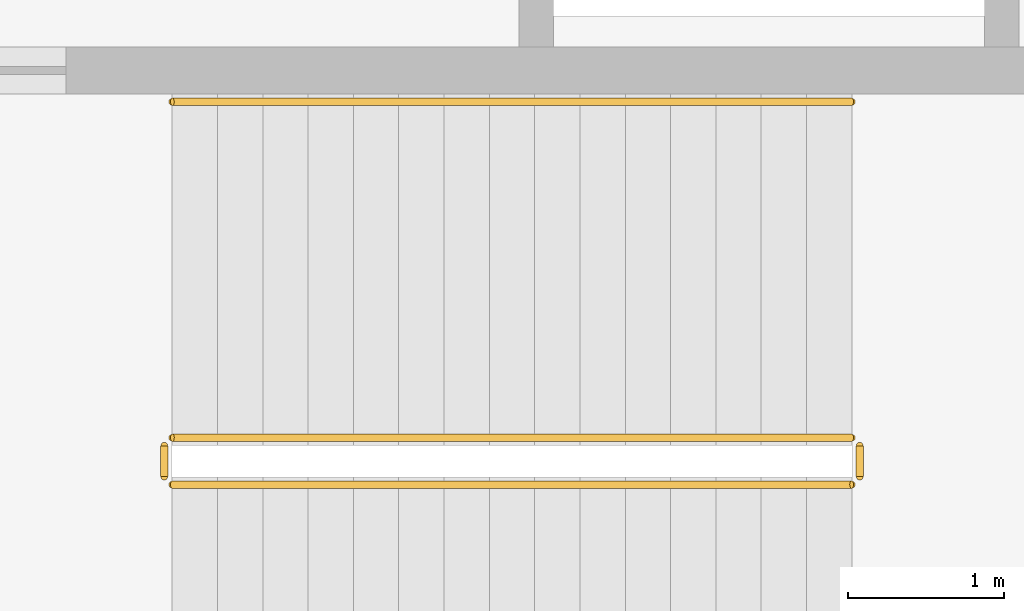
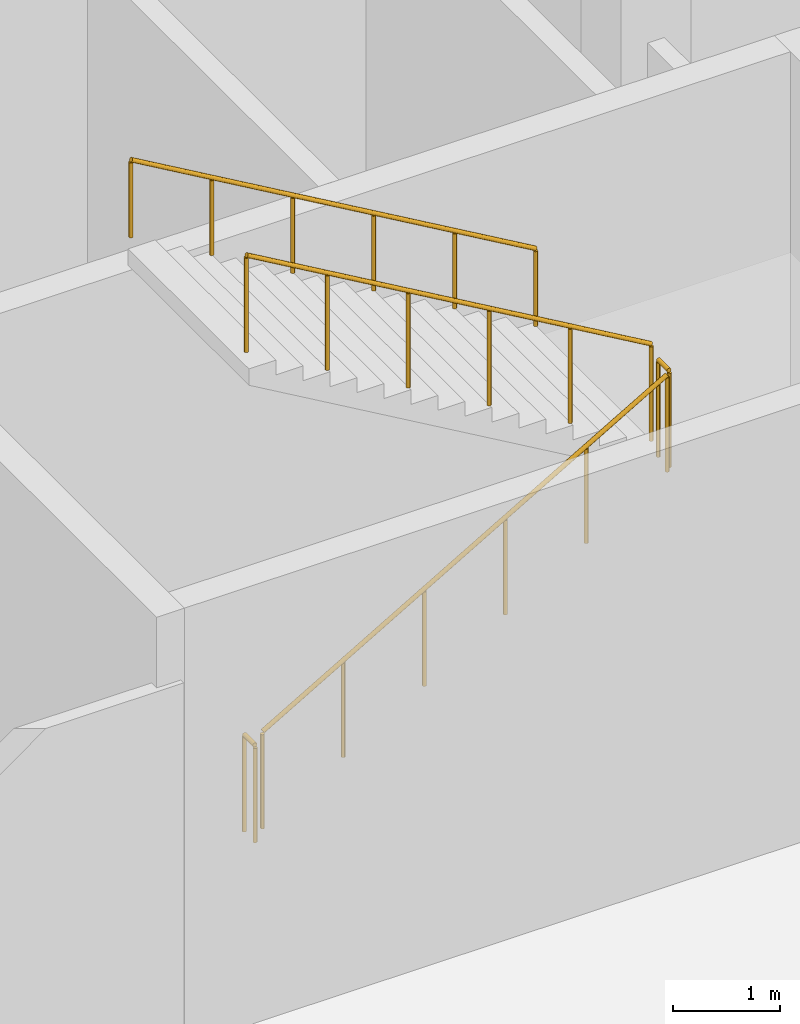
# One storey, part 119 of 127: 5 railings.
"""IFC4 building model written with IfcOpenShell, lengths in metres."""

import ifcopenshell
import ifcopenshell.guid

model = None  # the IFC model being written
_history = None  # IfcOwnerHistory: only IFC2X3 demands one
_inside = {}  # id of a spatial element -> (the spatial element, [elements in it])
_under = {}  # id of a project, library or spatial element -> (it, [spatial elements below it])
_declared = {}  # id of a project -> (the project, [libraries it declares])
_typed = {}  # id of a type object -> (the type object, [elements of that type])
_made_of = {}  # id of a material, layer set ... -> (it, [elements and type objects made of it])


def new_model(schema):
    """Start an empty IFC model of exactly this schema.

    Asked for "IFC4X3", IfcOpenShell would pick the latest addendum, in which some entities
    have other attributes; the version numbers below select the first issue.
    IFC2X3 requires an IfcOwnerHistory on every rooted entity: one is made here for all.
    """
    global model, _history
    if schema == "IFC4X3":
        model = ifcopenshell.file(schema_version=(4, 3, 0, 0))
    else:
        model = ifcopenshell.file(schema=schema)
    _inside.clear()
    _under.clear()
    _declared.clear()
    _typed.clear()
    _made_of.clear()
    _history = None
    if model.schema == "IFC2X3":
        org = make("IfcOrganization", Name="unknown")
        user = make(
            "IfcPersonAndOrganization",
            ThePerson=make("IfcPerson", FamilyName="unknown"),
            TheOrganization=org,
        )
        app = make(
            "IfcApplication",
            ApplicationDeveloper=org,
            Version="unknown",
            ApplicationFullName="unknown",
            ApplicationIdentifier="unknown",
        )
        _history = make(
            "IfcOwnerHistory",
            OwningUser=user,
            OwningApplication=app,
            ChangeAction="ADDED",
            CreationDate=0,
        )
    return model


def make(cls, **values):
    """One entity of the class cls with the attributes given. An attribute that is None is left unset."""
    return model.create_entity(
        cls, **{name: value for name, value in values.items() if value is not None}
    )


def rooted(cls, **values):
    """An entity with a GlobalId (a new one), such as an element, a storey or a relation."""
    return make(cls, GlobalId=ifcopenshell.guid.new(), OwnerHistory=_history, **values)


def si_unit(unit_type, name, prefix=None):
    """IfcSIUnit, for example si_unit("LENGTHUNIT", "METRE", prefix="MILLI")."""
    return make("IfcSIUnit", UnitType=unit_type, Prefix=prefix, Name=name)


def assignment(units):
    """IfcUnitAssignment: the units of a project."""
    return None if units is None else make("IfcUnitAssignment", Units=units)


def point(xyz):
    """IfcCartesianPoint."""
    return None if xyz is None else make("IfcCartesianPoint", Coordinates=xyz)


def direction(xyz):
    """IfcDirection."""
    return None if xyz is None else make("IfcDirection", DirectionRatios=xyz)


def frame(location, z_axis=None, x_axis=None):
    """IfcAxis2Placement3D, a coordinate frame: its origin and axes. An axis left out is left unset."""
    return make(
        "IfcAxis2Placement3D",
        Location=point(location),
        Axis=direction(z_axis),
        RefDirection=direction(x_axis),
    )


def frame_2d(location, x_axis=None):
    """IfcAxis2Placement2D, a coordinate frame in the plane: its origin and x axis."""
    return make(
        "IfcAxis2Placement2D", Location=point(location), RefDirection=direction(x_axis)
    )


def origin():
    """The frame at (0, 0, 0) with its axes left unset."""
    return frame((0.0, 0.0, 0.0))


def origin_2d():
    """The frame at (0, 0) in the plane with its x axis left unset."""
    return frame_2d((0.0, 0.0))


def place(relative_to, where):
    """IfcLocalPlacement: puts the frame where relative to a parent placement (None: the world)."""
    return make(
        "IfcLocalPlacement", PlacementRelTo=relative_to, RelativePlacement=where
    )


def context(
    kind, dimensions, precision=None, world=None, true_north=None, identifier=None
):
    """IfcGeometricRepresentationContext, for example the 3D "Model" context."""
    return make(
        "IfcGeometricRepresentationContext",
        ContextIdentifier=identifier,
        ContextType=kind,
        CoordinateSpaceDimension=dimensions,
        Precision=precision,
        WorldCoordinateSystem=world,
        TrueNorth=true_north,
    )


def subcontext(parent, identifier, kind, view, scale=None):
    """IfcGeometricRepresentationSubContext, for example "Body" below "Model"."""
    return make(
        "IfcGeometricRepresentationSubContext",
        ContextIdentifier=identifier,
        ContextType=kind,
        ParentContext=parent,
        TargetScale=scale,
        TargetView=view,
    )


def project(units=None, contexts=None):
    """IfcProject with its units and contexts."""
    return rooted(
        "IfcProject",
        Name="project",
        RepresentationContexts=contexts,
        UnitsInContext=assignment(units),
    )


def spatial(cls, under=None, at=None, **own):
    """A site, building, storey or space (cls), placed at a placement, below another one or the project."""
    s = rooted(cls, ObjectPlacement=at, **own)
    if under is not None:
        _under.setdefault(under.id(), (under, []))[1].append(s)
    return s


def profile(cls, at=None, kind="AREA", **sizes):
    """A parametric profile (cls). Its sizes go by their IFC names, for example OverallWidth=200.0."""
    return make(cls, ProfileType=kind, Position=at, **sizes)


def circle(**sizes):
    """IfcCircleProfileDef."""
    return profile("IfcCircleProfileDef", **sizes)


def extrude(swept, where, along, depth):
    """IfcExtrudedAreaSolid: the profile swept, set in the frame where, extruded along a direction by depth."""
    return make(
        "IfcExtrudedAreaSolid",
        SweptArea=swept,
        Position=where,
        ExtrudedDirection=direction(along),
        Depth=depth,
    )


def shape(context_of_items, identifier, shape_type, items):
    """IfcShapeRepresentation: the items that make up one representation, for example the "Body"."""
    return make(
        "IfcShapeRepresentation",
        ContextOfItems=context_of_items,
        RepresentationIdentifier=identifier,
        RepresentationType=shape_type,
        Items=items,
    )


def material(Name=None, Category=None):
    """IfcMaterial."""
    return make("IfcMaterial", Name=Name, Category=Category)


def made_of(thing, what):
    """Note that an element or type object is made of a material, layer set ...; save() writes the relation."""
    if what is not None:
        _made_of.setdefault(what.id(), (what, []))[1].append(thing)
    return thing


def type_object(cls, material=None, **own):
    """A type object (cls), such as IfcWallType, which elements share."""
    return made_of(rooted(cls, **own), material)


def element(
    cls,
    number,
    at=None,
    inside=None,
    cuts=None,
    type_object=None,
    material=None,
    context=None,
    identifier="Body",
    shape_type=None,
    held_by="IfcProductDefinitionShape",
    body=None,
    shapes=None,
    **own,
):
    """One element of the class cls, such as IfcWall. Its Tag is "e" and its number.

    at: its placement. inside: the storey or other place that contains it. cuts: it is an
    opening in that element (IfcRelVoidsElement). A single representation is given by context,
    identifier, shape_type and body (its items); several are given by shapes. held_by: the class
    of the entity that holds the representations. save() writes the other relations.
    """
    e = rooted(cls, Tag="e%d" % number, ObjectPlacement=at, **own)
    if body is not None:
        shapes = [shape(context, identifier, shape_type, body)]
    if shapes is not None:
        e.Representation = make(held_by, Representations=shapes)
    if inside is not None:
        _inside.setdefault(inside.id(), (inside, []))[1].append(e)
    if cuts is not None:
        rooted(
            "IfcRelVoidsElement", RelatingBuildingElement=cuts, RelatedOpeningElement=e
        )
    if type_object is not None:
        _typed.setdefault(type_object.id(), (type_object, []))[1].append(e)
    return made_of(e, material)


def aggregate(whole, parts):
    """IfcRelAggregates: a whole, such as a stair, and the parts it consists of."""
    return rooted("IfcRelAggregates", RelatingObject=whole, RelatedObjects=parts)


def save(model, path):
    """Write the relations noted so far, then the file.

    IfcRelAggregates (storeys below a building ...), IfcRelContainedInSpatialStructure (elements
    in a storey), IfcRelDefinesByType, IfcRelAssociatesMaterial and IfcRelDeclares: one each for
    every whole, place, type object, material and project.
    """
    for whole, parts in _under.values():
        aggregate(whole, parts)
    for where, things in _inside.values():
        rooted(
            "IfcRelContainedInSpatialStructure",
            RelatedElements=things,
            RelatingStructure=where,
        )
    for kind, things in _typed.values():
        rooted("IfcRelDefinesByType", RelatedObjects=things, RelatingType=kind)
    for what, things in _made_of.values():
        rooted("IfcRelAssociatesMaterial", RelatedObjects=things, RelatingMaterial=what)
    for by, libraries in _declared.values():
        rooted("IfcRelDeclares", RelatingContext=by, RelatedDefinitions=libraries)
    model.write(path)


model = new_model("IFC4")

# Units and contexts
model_context = context("Model", 3, precision=1e-05, world=origin(), true_north=direction((0.0, 1.0)))
body_context = subcontext(model_context, "Body", "Model", "MODEL_VIEW")
ifc_project = project(units=[si_unit("LENGTHUNIT", "METRE"), si_unit("AREAUNIT", "SQUARE_METRE"), si_unit("VOLUMEUNIT", "CUBIC_METRE"), si_unit("PLANEANGLEUNIT", "RADIAN"), si_unit("MASSUNIT", "GRAM", prefix="KILO")], contexts=[model_context])

# Site, building, storey
site_placement = place(None, origin())
site = spatial("IfcSite", under=ifc_project, at=site_placement, CompositionType="ELEMENT")
building_placement = place(site_placement, origin())
building = spatial("IfcBuilding", under=site, at=building_placement, Name="Larkvane Passage Sports Hall", CompositionType="ELEMENT")
storey_placement = place(building_placement, frame((0.0, 0.0, 5.39990234375)))
storey = spatial("IfcBuildingStorey", under=building, at=storey_placement, Name="L01", CompositionType="ELEMENT", Elevation=5.39990234375)

# Railings
ifc_material_1 = material(Name="Steel S355JR", Category="steel")
railing_type_1 = type_object("IfcRailingType", Name="RL-GUARD-1120", PredefinedType="GUARDRAIL", material=ifc_material_1)
railing_1_placement = place(storey_placement, frame((86.179931640625, 25.300048828125, 0.1689453125)))
element("IfcRailing", 1, at=railing_1_placement, inside=storey, type_object=railing_type_1, Name="L01 ST-04 stair guard 1", PredefinedType="GUARDRAIL", context=body_context, shape_type="SweptSolid", body=[
    extrude(circle(Radius=0.02392578125, at=origin_2d()), frame((0.001708984375, 0.0, 1.09716796875), z_axis=(0.864323800911, 0.0, 0.50293574856), x_axis=(0.0, 1.0, 0.0)), (0.0, 0.0, 1.0), 5.029052734375),
    extrude(circle(Radius=0.02099609375, at=origin_2d()), origin(), (0.0, 0.0, 1.0), 1.072021484375),
    extrude(circle(Radius=0.02099609375, at=origin_2d()), frame((0.8701171875, 0.0, 0.50634765625)), (0.0, 0.0, 1.0), 1.072021484375),
    extrude(circle(Radius=0.02099609375, at=origin_2d()), frame((1.739990234375, 0.0, 1.012451171875)), (0.0, 0.0, 1.0), 1.072021484375),
    extrude(circle(Radius=0.02099609375, at=origin_2d()), frame((2.610107421875, 0.0, 1.518798828125)), (0.0, 0.0, 1.0), 1.072021484375),
    extrude(circle(Radius=0.02099609375, at=origin_2d()), frame((3.47998046875, 0.0, 2.02490234375)), (0.0, 0.0, 1.0), 1.072021484375),
    extrude(circle(Radius=0.02099609375, at=origin_2d()), frame((4.35009765625, 0.0, 2.53125)), (0.0, 0.0, 1.0), 1.072021484375),
])
railing_2_placement = place(storey_placement, frame((90.580078125, 25.35009765625, 2.7001953125)))
element("IfcRailing", 2, at=railing_2_placement, inside=storey, type_object=railing_type_1, Name="L01 ST-04 stair guard 2", PredefinedType="GUARDRAIL", context=body_context, shape_type="SweptSolid", body=[
    extrude(circle(Radius=0.02392578125, at=origin_2d()), frame((0.0, 0.001953125, 1.09619140625), z_axis=(0.0, 1.0, 0.0), x_axis=(-1.0, 0.0, 0.0)), (0.0, 0.0, 1.0), 0.196044921875),
    extrude(circle(Radius=0.02099609375, at=origin_2d()), origin(), (0.0, 0.0, 1.0), 1.072021484375),
    extrude(circle(Radius=0.02099609375, at=origin_2d()), frame((0.0, 0.199951171875, 0.0)), (0.0, 0.0, 1.0), 1.072021484375),
])
railing_3_placement = place(storey_placement, frame((90.530029296875, 25.60009765625, 2.868896484375)))
element("IfcRailing", 3, at=railing_3_placement, inside=storey, type_object=railing_type_1, Name="L01 ST-04 stair guard 3", PredefinedType="GUARDRAIL", context=body_context, shape_type="SweptSolid", body=[
    extrude(circle(Radius=0.02392578125, at=origin_2d()), frame((-0.001708984375, 0.0, 1.09716796875), z_axis=(-0.864323800911, 0.0, 0.50293574856), x_axis=(0.0, -1.0, 0.0)), (0.0, 0.0, 1.0), 5.029052734375),
    extrude(circle(Radius=0.02099609375, at=origin_2d()), origin(), (0.0, 0.0, 1.0), 1.072021484375),
    extrude(circle(Radius=0.02099609375, at=origin_2d()), frame((-0.8701171875, 0.0, 0.50634765625)), (0.0, 0.0, 1.0), 1.072021484375),
    extrude(circle(Radius=0.02099609375, at=origin_2d()), frame((-1.739990234375, 0.0, 1.012451171875)), (0.0, 0.0, 1.0), 1.072021484375),
    extrude(circle(Radius=0.02099609375, at=origin_2d()), frame((-2.610107421875, 0.0, 1.518798828125)), (0.0, 0.0, 1.0), 1.072021484375),
    extrude(circle(Radius=0.02099609375, at=origin_2d()), frame((-3.47998046875, 0.0, 2.02490234375)), (0.0, 0.0, 1.0), 1.072021484375),
    extrude(circle(Radius=0.02099609375, at=origin_2d()), frame((-4.35009765625, 0.0, 2.53125)), (0.0, 0.0, 1.0), 1.072021484375),
])
railing_4_placement = place(storey_placement, frame((86.1298828125, 25.35009765625, 0.0)))
element("IfcRailing", 4, at=railing_4_placement, inside=storey, type_object=railing_type_1, Name="L01 ST-04 stair guard 4", PredefinedType="GUARDRAIL", context=body_context, shape_type="SweptSolid", body=[
    extrude(circle(Radius=0.02392578125, at=origin_2d()), frame((0.0, 0.001953125, 1.09619140625), z_axis=(0.0, 1.0, 0.0), x_axis=(-1.0, 0.0, 0.0)), (0.0, 0.0, 1.0), 0.196044921875),
    extrude(circle(Radius=0.02099609375, at=origin_2d()), origin(), (0.0, 0.0, 1.0), 1.072021484375),
    extrude(circle(Radius=0.02099609375, at=origin_2d()), frame((0.0, 0.199951171875, 0.0)), (0.0, 0.0, 1.0), 1.072021484375),
])
ifc_material_2 = material(Name="Stainless steel S355JR", Category="steel")
railing_type_2 = type_object("IfcRailingType", Name="RL-HAND-920", PredefinedType="HANDRAIL", material=ifc_material_2)
railing_5_placement = place(storey_placement, frame((90.530029296875, 27.75, 2.868896484375)))
element("IfcRailing", 5, at=railing_5_placement, inside=storey, type_object=railing_type_2, Name="L01 ST-04 stair handrail 2", PredefinedType="HANDRAIL", context=body_context, shape_type="SweptSolid", body=[
    extrude(circle(Radius=0.02392578125, at=origin_2d()), frame((-0.001708984375, 0.0, 0.876953125), z_axis=(-0.864323800911, 0.0, 0.50293574856), x_axis=(0.0, -1.0, 0.0)), (0.0, 0.0, 1.0), 5.029052734375),
    extrude(circle(Radius=0.02099609375, at=origin_2d()), origin(), (0.0, 0.0, 1.0), 0.851806640625),
    extrude(circle(Radius=0.02099609375, at=origin_2d()), frame((-0.8701171875, 0.0, 0.50634765625)), (0.0, 0.0, 1.0), 0.851806640625),
    extrude(circle(Radius=0.02099609375, at=origin_2d()), frame((-1.739990234375, 0.0, 1.012451171875)), (0.0, 0.0, 1.0), 0.851806640625),
    extrude(circle(Radius=0.02099609375, at=origin_2d()), frame((-2.610107421875, 0.0, 1.518798828125)), (0.0, 0.0, 1.0), 0.851806640625),
    extrude(circle(Radius=0.02099609375, at=origin_2d()), frame((-3.47998046875, 0.0, 2.02490234375)), (0.0, 0.0, 1.0), 0.851806640625),
    extrude(circle(Radius=0.02099609375, at=origin_2d()), frame((-4.35009765625, 0.0, 2.53125)), (0.0, 0.0, 1.0), 0.851806640625),
])

save(model, "model.ifc")
